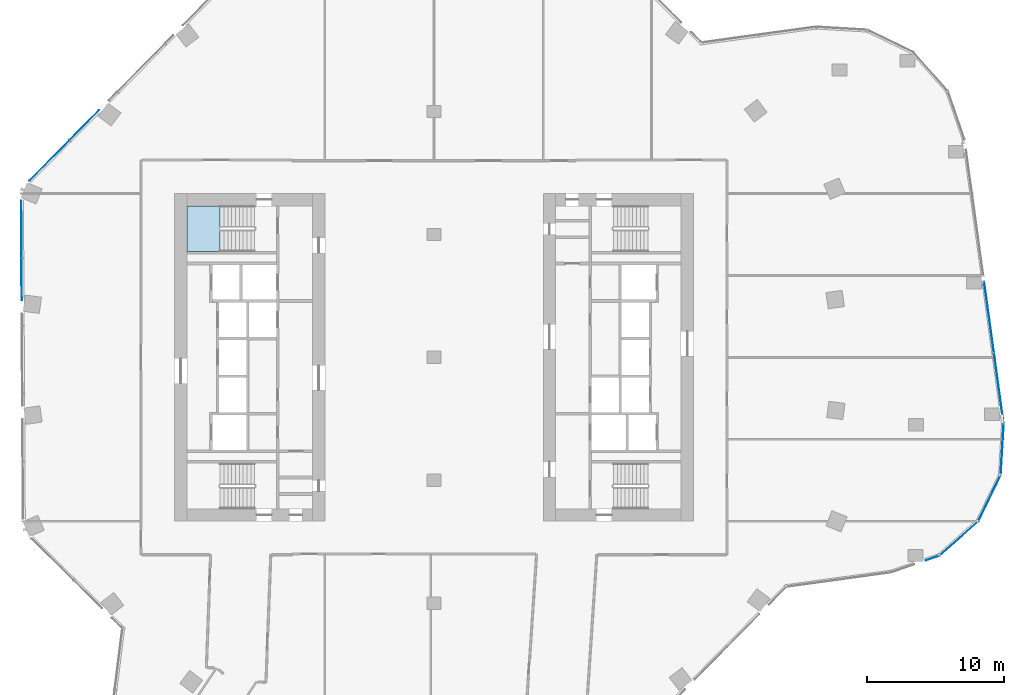
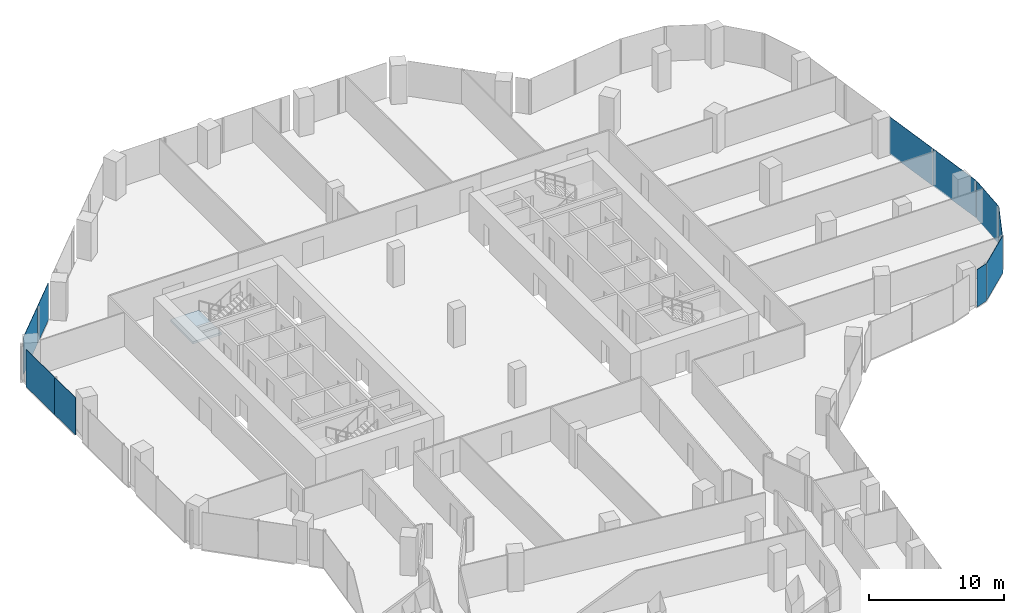
# One storey, part 16 of 27: 10 plates, 1 slab, 8 elements without a shape of their own.
"""IFC4 building model written with IfcOpenShell, lengths in metres."""

from ifc_helpers import new_model, si_unit, direction, frame, origin, origin_2d, place, context, subcontext, project, spatial, polyline, rectangle, outline, extrude, material, layer, layer_set, type_object, element, aggregate, save


model = new_model("IFC4")

# Units and contexts
model_context = context("Model", 3, precision=1e-05, world=origin(), true_north=direction((0.0, 1.0)))
body_context = subcontext(model_context, "Body", "Model", "MODEL_VIEW")
ifc_project = project(units=[si_unit("LENGTHUNIT", "METRE"), si_unit("AREAUNIT", "SQUARE_METRE"), si_unit("VOLUMEUNIT", "CUBIC_METRE"), si_unit("PLANEANGLEUNIT", "RADIAN"), si_unit("MASSUNIT", "GRAM", prefix="KILO")], contexts=[model_context])

# Site, building, storey
site_placement = place(None, origin())
site = spatial("IfcSite", under=ifc_project, at=site_placement, CompositionType="ELEMENT")
building_placement = place(site_placement, origin())
building = spatial("IfcBuilding", under=site, at=building_placement, Name="Orlundy Tower", CompositionType="ELEMENT")
storey_placement = place(building_placement, frame((0.0, 0.0, 192.10009765625)))
storey = spatial("IfcBuildingStorey", under=building, at=storey_placement, Name="L50", CompositionType="ELEMENT", Elevation=192.10009765625)

# Curtain wall, plates
ifc_material_1 = material(Name="Aluminium bronze anodised", Category="aluminium")
curtain_wall_type = type_object("IfcCurtainWallType", Name="CW1 wall", PredefinedType="NOTDEFINED", material=ifc_material_1)
curtain_wall_1_placement = place(storey_placement, origin())
curtain_wall_1 = element("IfcCurtainWall", 1, at=curtain_wall_1_placement, inside=storey, type_object=curtain_wall_type, Name="CW1 run 02", PredefinedType="NOTDEFINED")
ifc_material_2 = material(Name="Tinted glass", Category="glass")
ifc_layer_1 = layer(ifc_material_2, 0.031982421875)
ifc_layer_set_1 = layer_set([ifc_layer_1], Name="CW1 glass panel 32")
plate_type = type_object("IfcPlateType", Name="CW1 glass panel 32", PredefinedType="CURTAIN_PANEL", material=ifc_layer_set_1)
plate_1_placement = place(storey_placement, frame((-30.197998046875, 5.7265625, -0.300048828125), z_axis=(0.0, 0.0, 1.0), x_axis=(-0.005834206419, 0.999982980873, 0.0)))
plate_1 = element("IfcPlate", 2, at=plate_1_placement, type_object=plate_type, Name="CW1 panel", PredefinedType="CURTAIN_PANEL", context=body_context, shape_type="SweptSolid", body=[
    extrude(rectangle(XDim=3.0576171875, YDim=0.031982421875, at=origin_2d()), origin(), (0.0, 0.0, 1.0), 3.3798828125),
])
plate_2_placement = place(storey_placement, frame((-30.21923828125, 9.37939453125, -0.300048828125), z_axis=(0.0, 0.0, 1.0), x_axis=(-0.005834206419, 0.999982980873, 0.0)))
plate_2 = element("IfcPlate", 3, at=plate_2_placement, type_object=plate_type, Name="CW1 panel", PredefinedType="CURTAIN_PANEL", context=body_context, shape_type="SweptSolid", body=[
    extrude(rectangle(XDim=4.14794921875, YDim=0.031982421875, at=origin_2d()), origin(), (0.0, 0.0, 1.0), 3.3798828125),
])
aggregate(curtain_wall_1, [plate_1, plate_2])

curtain_wall_2_placement = place(storey_placement, origin())
curtain_wall_2 = element("IfcCurtainWall", 4, at=curtain_wall_2_placement, inside=storey, type_object=curtain_wall_type, Name="CW1 run 03", PredefinedType="NOTDEFINED")
plate_3_placement = place(storey_placement, frame((-28.169677734375, 14.40966796875, -0.300048828125), z_axis=(0.0, 0.0, 1.0), x_axis=(0.702990637629, 0.711199102506, 0.0)))
plate_3 = element("IfcPlate", 5, at=plate_3_placement, type_object=plate_type, Name="CW1 panel", PredefinedType="CURTAIN_PANEL", context=body_context, shape_type="SweptSolid", body=[
    extrude(rectangle(XDim=4.147216796875, YDim=0.031982421875, at=origin_2d()), origin(), (0.0, 0.0, 1.0), 3.3798828125),
])
plate_4_placement = place(storey_placement, frame((-25.602294921875, 17.007080078125, -0.300048828125), z_axis=(0.0, 0.0, 1.0), x_axis=(0.702990637629, 0.711199102506, 0.0)))
plate_4 = element("IfcPlate", 6, at=plate_4_placement, type_object=plate_type, Name="CW1 panel", PredefinedType="CURTAIN_PANEL", context=body_context, shape_type="SweptSolid", body=[
    extrude(rectangle(XDim=3.05712890625, YDim=0.031982421875, at=origin_2d()), origin(), (0.0, 0.0, 1.0), 3.3798828125),
])
aggregate(curtain_wall_2, [plate_3, plate_4])

curtain_wall_3_placement = place(storey_placement, origin())
curtain_wall_3 = element("IfcCurtainWall", 7, at=curtain_wall_3_placement, inside=storey, type_object=curtain_wall_type, Name="CW1 run 011", PredefinedType="NOTDEFINED")
plate_5_placement = place(storey_placement, frame((40.642333984375, 2.94189453125, -0.300048828125), z_axis=(0.0, 0.0, 1.0), x_axis=(0.13628610677, -0.990669519619, 0.0)))
plate_5 = element("IfcPlate", 8, at=plate_5_placement, type_object=plate_type, Name="CW1 panel", PredefinedType="CURTAIN_PANEL", context=body_context, shape_type="SweptSolid", body=[
    extrude(rectangle(XDim=5.199951171875, YDim=0.031982421875, at=origin_2d()), origin(), (0.0, 0.0, 1.0), 3.3798828125),
])
plate_6_placement = place(storey_placement, frame((41.35888671875, -2.26708984375, -0.300048828125), z_axis=(0.0, 0.0, 1.0), x_axis=(0.13628610677, -0.990669519619, 0.0)))
plate_6 = element("IfcPlate", 9, at=plate_6_placement, type_object=plate_type, Name="CW1 panel", PredefinedType="CURTAIN_PANEL", context=body_context, shape_type="SweptSolid", body=[
    extrude(rectangle(XDim=5.216064453125, YDim=0.031982421875, at=origin_2d()), origin(), (0.0, 0.0, 1.0), 3.3798828125),
])
aggregate(curtain_wall_3, [plate_5, plate_6])

# Curtain wall, plate
curtain_wall_4_placement = place(storey_placement, origin())
curtain_wall_4 = element("IfcCurtainWall", 10, at=curtain_wall_4_placement, inside=storey, type_object=curtain_wall_type, Name="CW1 run 012", PredefinedType="NOTDEFINED")
plate_7_placement = place(storey_placement, frame((41.60498046875, -6.762451171875, -0.300048828125), z_axis=(0.0, 0.0, 1.0), x_axis=(-0.059623466872, -0.998220938569, 0.0)))
plate_7 = element("IfcPlate", 11, at=plate_7_placement, type_object=plate_type, Name="CW1 panel", PredefinedType="CURTAIN_PANEL", context=body_context, shape_type="SweptSolid", body=[
    extrude(rectangle(XDim=3.730224609375, YDim=0.031982421875, at=origin_2d()), origin(), (0.0, 0.0, 1.0), 3.3798828125),
])
aggregate(curtain_wall_4, [plate_7])

curtain_wall_5_placement = place(storey_placement, origin())
curtain_wall_5 = element("IfcCurtainWall", 12, at=curtain_wall_5_placement, inside=storey, type_object=curtain_wall_type, Name="CW1 run 013", PredefinedType="NOTDEFINED")
plate_8_placement = place(storey_placement, frame((40.66943359375, -10.320556640625, -0.300048828125), z_axis=(0.0, 0.0, 1.0), x_axis=(-0.437041163358, -0.899441505342, 0.0)))
plate_8 = element("IfcPlate", 13, at=plate_8_placement, type_object=plate_type, Name="CW1 panel", PredefinedType="CURTAIN_PANEL", context=body_context, shape_type="SweptSolid", body=[
    extrude(rectangle(XDim=3.77197265625, YDim=0.031982421875, at=origin_2d()), origin(), (0.0, 0.0, 1.0), 3.3798828125),
])
aggregate(curtain_wall_5, [plate_8])

curtain_wall_6_placement = place(storey_placement, origin())
curtain_wall_6 = element("IfcCurtainWall", 14, at=curtain_wall_6_placement, inside=storey, type_object=curtain_wall_type, Name="CW1 run 014", PredefinedType="NOTDEFINED")
plate_9_placement = place(storey_placement, frame((38.434814453125, -13.2685546875, -0.300048828125), z_axis=(0.0, 0.0, 1.0), x_axis=(-0.747944996694, -0.663760711342, 0.0)))
plate_9 = element("IfcPlate", 15, at=plate_9_placement, type_object=plate_type, Name="CW1 panel", PredefinedType="CURTAIN_PANEL", context=body_context, shape_type="SweptSolid", body=[
    extrude(rectangle(XDim=3.771484375, YDim=0.031982421875, at=origin_2d()), origin(), (0.0, 0.0, 1.0), 3.3798828125),
])
aggregate(curtain_wall_6, [plate_9])

curtain_wall_7_placement = place(storey_placement, origin())
curtain_wall_7 = element("IfcCurtainWall", 16, at=curtain_wall_7_placement, inside=storey, type_object=curtain_wall_type, Name="CW1 run 015", PredefinedType="NOTDEFINED")
plate_10_placement = place(storey_placement, frame((36.51611328125, -14.696044921875, -0.300048828125), z_axis=(0.0, 0.0, 1.0), x_axis=(-0.945034174317, -0.32697157273, 0.0)))
plate_10 = element("IfcPlate", 17, at=plate_10_placement, type_object=plate_type, Name="CW1 panel", PredefinedType="CURTAIN_PANEL", context=body_context, shape_type="SweptSolid", body=[
    extrude(rectangle(XDim=1.07568359375, YDim=0.031982421875, at=origin_2d()), origin(), (0.0, 0.0, 1.0), 3.3798828125),
])
aggregate(curtain_wall_7, [plate_10])

# Stair, slab
ifc_material_3 = material(Name="Concrete C50/60", Category="concrete")
stair_type = type_object("IfcStairType", Name="Exit Stair 20 risers", PredefinedType="HALF_TURN_STAIR", material=ifc_material_3)
stair_placement = place(storey_placement, origin())
stair = element("IfcStair", 18, at=stair_placement, inside=storey, type_object=stair_type, Name="L50 Exit Stair ST-W1", PredefinedType="HALF_TURN_STAIR")
ifc_material_4 = material(Name="Concrete C50/60", Category="concrete")
ifc_layer_2 = layer(ifc_material_4, 0.199951171875)
ifc_layer_set_2 = layer_set([ifc_layer_2], Name="Exit Stair Landing")
slab_type = type_object("IfcSlabType", Name="Exit Stair Landing", PredefinedType="LANDING", material=ifc_layer_set_2)
slab_placement = place(storey_placement, frame((0.0, 0.0, 1.5498046875)))
slab = element("IfcSlab", 19, at=slab_placement, type_object=slab_type, Name="ST-W1 landing 1", PredefinedType="LANDING", context=body_context, shape_type="SweptSolid", body=[
    extrude(outline(polyline([(-15.659912109375, 11.10009765625), (-18.10009765625, 11.10009765625), (-18.10009765625, 7.75), (-15.659912109375, 7.75), (-15.659912109375, 11.10009765625)])), origin(), (0.0, 0.0, 1.0), 0.2001953125),
])
aggregate(stair, [slab])

save(model, "model.ifc")
